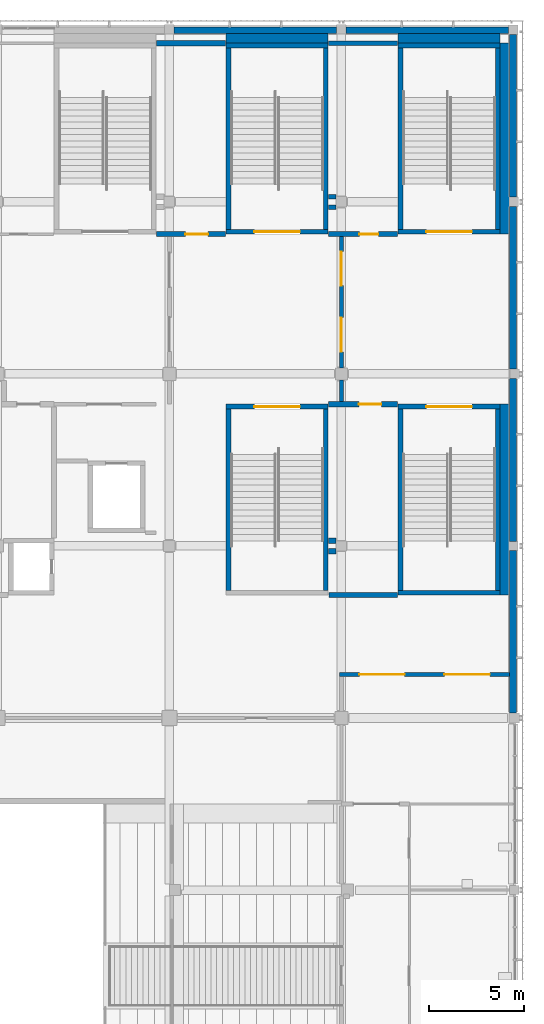
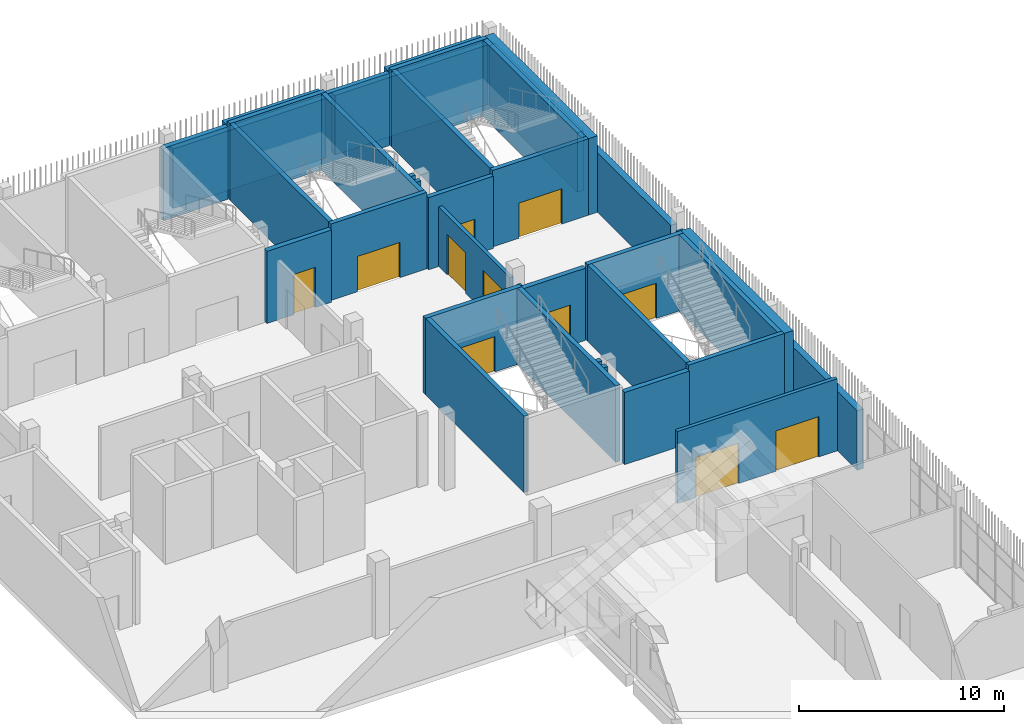
# One storey, part 91 of 139: 38 walls, 11 doors, 11 openings.
"""IFC4 building model written with IfcOpenShell, lengths in metres."""

from ifc_helpers import new_model, si_unit, direction, frame, frame_2d, origin, place, context, subcontext, project, spatial, rectangle, extrude, material, layer, layer_set, type_object, element, fill, save


model = new_model("IFC4")

# Units and contexts
model_context = context("Model", 3, precision=1e-05, world=origin(), true_north=direction((0.0, 1.0)))
body_context = subcontext(model_context, "Body", "Model", "MODEL_VIEW")
ifc_project = project(units=[si_unit("LENGTHUNIT", "METRE"), si_unit("AREAUNIT", "SQUARE_METRE"), si_unit("VOLUMEUNIT", "CUBIC_METRE"), si_unit("PLANEANGLEUNIT", "RADIAN"), si_unit("MASSUNIT", "GRAM", prefix="KILO")], contexts=[model_context])

# Site, building, storey
site_placement = place(None, origin())
site = spatial("IfcSite", under=ifc_project, at=site_placement, CompositionType="ELEMENT")
building_placement = place(site_placement, origin())
building = spatial("IfcBuilding", under=site, at=building_placement, Name="Shirokan Park Arena", CompositionType="ELEMENT")
storey_placement = place(building_placement, frame((0.0, 0.0, 15.469970703125)))
storey = spatial("IfcBuildingStorey", under=building, at=storey_placement, Name="L03", CompositionType="ELEMENT", Elevation=15.469970703125)

# Wall, opening, door
ifc_material_1 = material(Name="Plaster")
ifc_layer_1 = layer(ifc_material_1, 0.014892578125, Name="Plaster")
ifc_material_2 = material(Name="Concrete blockwork", Category="masonry")
ifc_layer_2 = layer(ifc_material_2, 0.219970703125, Name="Concrete blockwork 220")
ifc_layer_3 = layer(ifc_material_1, 0.014892578125, Name="Plaster")
ifc_layer_set_1 = layer_set([ifc_layer_1, ifc_layer_2, ifc_layer_3], Name="Plaster + Concrete blockwork 220")
wall_type_1 = type_object("IfcWallType", Name="Compartment wall 250", PredefinedType="SOLIDWALL", material=ifc_layer_set_1)
wall_1_placement = place(storey_placement, frame((135.830078125, 98.39990234375, 0.0), z_axis=(0.0, 0.0, 1.0), x_axis=(1.0, 0.0, 0.0)))
wall_1 = element("IfcWall", 1, at=wall_1_placement, inside=storey, type_object=wall_type_1, Name="Compartment wall 250 L03", PredefinedType="SOLIDWALL", context=body_context, shape_type="SweptSolid", body=[
    extrude(rectangle(XDim=3.639892578125, YDim=0.25, at=frame_2d((1.81982421875, 0.0))), origin(), (0.0, 0.0, 1.0), 4.300048828125),
])
opening_1_placement = place(wall_1_placement, frame((1.6201171875, 0.0, 0.0)))
opening_1 = element("IfcOpeningElement", 2, at=opening_1_placement, cuts=wall_1, Name="Opening D-3026", PredefinedType="OPENING", context=body_context, shape_type="SweptSolid", body=[
    extrude(rectangle(XDim=1.0, YDim=2.10009765625, at=frame_2d((0.5, 1.050048828125))), frame((0.0, 0.135009765625, 0.0), z_axis=(0.0, -1.0, 0.0), x_axis=(1.0, 0.0, 0.0)), (0.0, 0.0, 1.0), 0.27001953125),
])
ifc_material_3 = material(Name="Timber door set, fire resisting", Category="wood")
door_type_1 = type_object("IfcDoorType", Name="Door 1000 x 2100", OperationType="SINGLE_SWING_LEFT", PredefinedType="DOOR", material=ifc_material_3)
door_1_placement = place(opening_1_placement, origin())
door_1 = element("IfcDoor", 3, at=door_1_placement, inside=storey, type_object=door_type_1, Name="Door to Suite Store 3.30 D-3026", OperationType="SINGLE_SWING_RIGHT", OverallHeight=2.10009765625, OverallWidth=1.0, PredefinedType="DOOR", context=body_context, shape_type="SweptSolid", body=[
    extrude(rectangle(XDim=1.0, YDim=2.10009765625, at=frame_2d((0.5, 1.050048828125))), frame((0.0, 0.02490234375, 0.0), z_axis=(0.0, -1.0, 0.0), x_axis=(1.0, 0.0, 0.0)), (0.0, 0.0, 1.0), 0.050048828125),
])
fill(opening_1, door_1)

# Walls
wall_2_placement = place(storey_placement, frame((135.830078125, 99.824951171875, 0.0), z_axis=(0.0, 0.0, 1.0), x_axis=(1.0, 0.0, 0.0)))
element("IfcWall", 4, at=wall_2_placement, inside=storey, type_object=wall_type_1, Name="Compartment wall 250 L03", PredefinedType="SOLIDWALL", context=body_context, shape_type="SweptSolid", body=[
    extrude(rectangle(XDim=0.39501953125, YDim=0.25, at=frame_2d((0.197509765625, 0.0))), origin(), (0.0, 0.0, 1.0), 4.300048828125),
])
wall_3_placement = place(storey_placement, frame((135.830078125, 108.5, 0.0), z_axis=(0.0, 0.0, 1.0), x_axis=(1.0, 0.0, 0.0)))
element("IfcWall", 5, at=wall_3_placement, inside=storey, type_object=wall_type_1, Name="Compartment wall 250 L03", PredefinedType="SOLIDWALL", context=body_context, shape_type="SweptSolid", body=[
    extrude(rectangle(XDim=3.639892578125, YDim=0.25, at=frame_2d((1.81982421875, 0.0))), origin(), (0.0, 0.0, 1.0), 4.300048828125),
])
wall_4_placement = place(storey_placement, frame((136.22509765625, 100.375, 0.0), z_axis=(0.0, 0.0, 1.0), x_axis=(-1.0, 0.0, 0.0)))
element("IfcWall", 6, at=wall_4_placement, inside=storey, type_object=wall_type_1, Name="Compartment wall 250 L03", PredefinedType="SOLIDWALL", context=body_context, shape_type="SweptSolid", body=[
    extrude(rectangle(XDim=0.39501953125, YDim=0.25, at=frame_2d((0.197509765625, 0.0))), origin(), (0.0, 0.0, 1.0), 4.300048828125),
])
ifc_material_4 = material(Name="Gypsum board")
ifc_layer_4 = layer(ifc_material_4, 0.02490234375, Name="Gypsum board, two layers")
ifc_material_5 = material(Name="Mineral wool insulation")
ifc_layer_5 = layer(ifc_material_5, 0.14990234375, Name="Mineral wool insulation")
ifc_layer_6 = layer(ifc_material_4, 0.02490234375, Name="Gypsum board, two layers")
ifc_layer_set_2 = layer_set([ifc_layer_4, ifc_layer_5, ifc_layer_6], Name="Gypsum board, two layers + Mineral wool insulation")
wall_type_2 = type_object("IfcWallType", Name="Corridor wall 200", PredefinedType="PARTITIONING", material=ifc_layer_set_2)
wall_5_placement = place(storey_placement, frame((136.5, 89.53759765625, 0.0), z_axis=(0.0, 0.0, 1.0), x_axis=(0.0, 1.0, 0.0)))
element("IfcWall", 7, at=wall_5_placement, inside=storey, type_object=wall_type_2, Name="Corridor wall 200 L03", PredefinedType="PARTITIONING", context=body_context, shape_type="SweptSolid", body=[
    extrude(rectangle(XDim=1.137451171875, YDim=0.199951171875, at=frame_2d((0.56884765625, 0.0))), origin(), (0.0, 0.0, 1.0), 3.550048828125),
])

# Wall, openings, doors
wall_6_placement = place(storey_placement, frame((136.5, 91.324951171875, 0.0), z_axis=(0.0, 0.0, 1.0), x_axis=(0.0, 1.0, 0.0)))
wall_6 = element("IfcWall", 8, at=wall_6_placement, inside=storey, type_object=wall_type_2, Name="Corridor wall 200 L03", PredefinedType="PARTITIONING", context=body_context, shape_type="SweptSolid", body=[
    extrude(rectangle(XDim=6.949951171875, YDim=0.199951171875, at=frame_2d((3.47509765625, 0.0))), origin(), (0.0, 0.0, 1.0), 3.550048828125),
])
opening_2_placement = place(wall_6_placement, frame((0.85009765625, 0.0, 0.0)))
opening_2 = element("IfcOpeningElement", 9, at=opening_2_placement, cuts=wall_6, Name="Opening D-3114", PredefinedType="OPENING", context=body_context, shape_type="SweptSolid", body=[
    extrude(rectangle(XDim=1.800048828125, YDim=2.39990234375, at=frame_2d((0.89990234375, 1.199951171875))), frame((0.0, 0.10986328125, 0.0), z_axis=(0.0, -1.0, 0.0), x_axis=(1.0, 0.0, 0.0)), (0.0, 0.0, 1.0), 0.219970703125),
])
opening_3_placement = place(wall_6_placement, frame((4.35009765625, 0.0, 0.0)))
opening_3 = element("IfcOpeningElement", 10, at=opening_3_placement, cuts=wall_6, Name="Opening D-3115", PredefinedType="OPENING", context=body_context, shape_type="SweptSolid", body=[
    extrude(rectangle(XDim=1.800048828125, YDim=2.39990234375, at=frame_2d((0.89990234375, 1.199951171875))), frame((0.0, 0.10986328125, 0.0), z_axis=(0.0, -1.0, 0.0), x_axis=(1.0, 0.0, 0.0)), (0.0, 0.0, 1.0), 0.219970703125),
])
ifc_material_6 = material(Name="Glazed steel door set, fire resisting", Category="steel")
door_type_2 = type_object("IfcDoorType", Name="Lift lobby door 1800 x 2400", OperationType="DOUBLE_DOOR_SINGLE_SWING", PredefinedType="DOOR", material=ifc_material_6)
door_2_placement = place(opening_2_placement, origin())
door_2 = element("IfcDoor", 11, at=door_2_placement, inside=storey, type_object=door_type_2, Name="Door between Suite Lobby 3.3.1 and Media Lobby 3.3.2 D-3114", OperationType="DOUBLE_DOOR_SINGLE_SWING", OverallHeight=2.39990234375, OverallWidth=1.800048828125, PredefinedType="DOOR", context=body_context, shape_type="SweptSolid", body=[
    extrude(rectangle(XDim=1.800048828125, YDim=2.39990234375, at=frame_2d((0.89990234375, 1.199951171875))), frame((0.0, 0.02490234375, 0.0), z_axis=(0.0, -1.0, 0.0), x_axis=(1.0, 0.0, 0.0)), (0.0, 0.0, 1.0), 0.050048828125),
])
fill(opening_2, door_2)
door_3_placement = place(opening_3_placement, origin())
door_3 = element("IfcDoor", 12, at=door_3_placement, inside=storey, type_object=door_type_2, Name="Door between Suite Lobby 3.3.1 and Media Lobby 3.3.2 D-3115", OperationType="DOUBLE_DOOR_SINGLE_SWING", OverallHeight=2.39990234375, OverallWidth=1.800048828125, PredefinedType="DOOR", context=body_context, shape_type="SweptSolid", body=[
    extrude(rectangle(XDim=1.800048828125, YDim=2.39990234375, at=frame_2d((0.89990234375, 1.199951171875))), frame((0.0, 0.02490234375, 0.0), z_axis=(0.0, -1.0, 0.0), x_axis=(1.0, 0.0, 0.0)), (0.0, 0.0, 1.0), 0.050048828125),
])
fill(opening_3, door_3)

wall_7_placement = place(storey_placement, frame((145.39990234375, 75.10009765625, 0.0), z_axis=(0.0, 0.0, 1.0), x_axis=(-1.0, 0.0, 0.0)))
wall_7 = element("IfcWall", 13, at=wall_7_placement, inside=storey, type_object=wall_type_2, Name="Corridor wall 200 L03", PredefinedType="PARTITIONING", context=body_context, shape_type="SweptSolid", body=[
    extrude(rectangle(XDim=9.0, YDim=0.199951171875, at=frame_2d((4.5, 0.0))), origin(), (0.0, 0.0, 1.0), 4.300048828125),
])
opening_4_placement = place(wall_7_placement, frame((1.050048828125, 0.0, 0.0)))
opening_4 = element("IfcOpeningElement", 14, at=opening_4_placement, cuts=wall_7, Name="Opening D-3112", PredefinedType="OPENING", context=body_context, shape_type="SweptSolid", body=[
    extrude(rectangle(XDim=2.39990234375, YDim=2.39990234375, at=frame_2d((1.199951171875, 1.199951171875))), frame((0.0, 0.10986328125, 0.0), z_axis=(0.0, -1.0, 0.0), x_axis=(1.0, 0.0, 0.0)), (0.0, 0.0, 1.0), 0.219970703125),
])
opening_5_placement = place(wall_7_placement, frame((5.550048828125, 0.0, 0.0)))
opening_5 = element("IfcOpeningElement", 15, at=opening_5_placement, cuts=wall_7, Name="Opening D-3113", PredefinedType="OPENING", context=body_context, shape_type="SweptSolid", body=[
    extrude(rectangle(XDim=2.39990234375, YDim=2.39990234375, at=frame_2d((1.199951171875, 1.199951171875))), frame((0.0, 0.10986328125, 0.0), z_axis=(0.0, -1.0, 0.0), x_axis=(1.0, 0.0, 0.0)), (0.0, 0.0, 1.0), 0.219970703125),
])
ifc_material_7 = material(Name="Steel door set, fire resisting", Category="steel")
door_type_3 = type_object("IfcDoorType", Name="Double door 2400 x 2400", OperationType="DOUBLE_DOOR_SINGLE_SWING", PredefinedType="DOOR", material=ifc_material_7)
door_4_placement = place(opening_4_placement, origin())
door_4 = element("IfcDoor", 16, at=door_4_placement, inside=storey, type_object=door_type_3, Name="Door between Service Corridor 3.3 and Concourse Link 3.3 D-3112", OperationType="DOUBLE_DOOR_SINGLE_SWING", OverallHeight=2.39990234375, OverallWidth=2.39990234375, PredefinedType="DOOR", context=body_context, shape_type="SweptSolid", body=[
    extrude(rectangle(XDim=2.39990234375, YDim=2.39990234375, at=frame_2d((1.199951171875, 1.199951171875))), frame((0.0, 0.02490234375, 0.0), z_axis=(0.0, -1.0, 0.0), x_axis=(1.0, 0.0, 0.0)), (0.0, 0.0, 1.0), 0.050048828125),
])
fill(opening_4, door_4)
door_5_placement = place(opening_5_placement, origin())
door_5 = element("IfcDoor", 17, at=door_5_placement, inside=storey, type_object=door_type_3, Name="Door between Service Corridor 3.3 and Concourse Link 3.3 D-3113", OperationType="DOUBLE_DOOR_SINGLE_SWING", OverallHeight=2.39990234375, OverallWidth=2.39990234375, PredefinedType="DOOR", context=body_context, shape_type="SweptSolid", body=[
    extrude(rectangle(XDim=2.39990234375, YDim=2.39990234375, at=frame_2d((1.199951171875, 1.199951171875))), frame((0.0, 0.02490234375, 0.0), z_axis=(0.0, -1.0, 0.0), x_axis=(1.0, 0.0, 0.0)), (0.0, 0.0, 1.0), 0.050048828125),
])
fill(opening_5, door_5)

# Walls
ifc_material_8 = material(Name="Cedar cladding")
ifc_layer_7 = layer(ifc_material_8, 0.030029296875, Name="Cedar cladding")
ifc_layer_8 = layer(ifc_material_5, 0.10009765625, Name="Mineral wool insulation")
ifc_material_9 = material(Name="Concrete C35", Category="concrete")
ifc_layer_9 = layer(ifc_material_9, 0.199951171875, Name="Concrete C35")
ifc_material_10 = material(Name="Gypsum board lining")
ifc_layer_10 = layer(ifc_material_10, 0.02001953125, Name="Gypsum board lining")
ifc_layer_set_3 = layer_set([ifc_layer_7, ifc_layer_8, ifc_layer_9, ifc_layer_10], Name="Cedar cladding + Mineral wool insulation + Concrete C35 + Gypsum board lining")
wall_type_3 = type_object("IfcWallType", Name="Insulated tower wall 350", PredefinedType="SOLIDWALL", material=ifc_layer_set_3)
wall_8_placement = place(storey_placement, frame((145.574951171875, 73.074951171875, 0.0), z_axis=(0.0, 0.0, 1.0), x_axis=(0.0, 1.0, 0.0)))
element("IfcWall", 18, at=wall_8_placement, inside=storey, type_object=wall_type_3, Name="East facade wall bay 9 L03", PredefinedType="SOLIDWALL", context=body_context, shape_type="SweptSolid", body=[
    extrude(rectangle(XDim=8.574951171875, YDim=0.35009765625, at=frame_2d((4.28759765625, 0.0))), origin(), (0.0, 0.0, 1.0), 3.550048828125),
])
for number, where, z_axis, x_axis, name in (
    (19, (145.574951171875, 82.14990234375, 0.0), (0.0, 0.0, 1.0), (0.0, 1.0, 0.0), "East facade wall bay 10 L03"),
    (20, (145.574951171875, 91.25, 0.0), (0.0, 0.0, 1.0), (0.0, 1.0, 0.0), "East facade wall bay 11 L03"),
):
    element("IfcWall", number, at=place(storey_placement, frame(where, z_axis=z_axis, x_axis=x_axis)), inside=storey, type_object=wall_type_3, Name=name, PredefinedType="SOLIDWALL", context=body_context, shape_type="SweptSolid", body=[
        extrude(rectangle(XDim=8.60009765625, YDim=0.35009765625, at=frame_2d((4.300048828125, 0.0))), origin(), (0.0, 0.0, 1.0), 3.550048828125),
    ])
wall_9_placement = place(storey_placement, frame((145.574951171875, 100.35009765625, 0.0), z_axis=(0.0, 0.0, 1.0), x_axis=(0.0, 1.0, 0.0)))
element("IfcWall", 21, at=wall_9_placement, inside=storey, type_object=wall_type_3, Name="East facade wall bay 12 L03", PredefinedType="SOLIDWALL", context=body_context, shape_type="SweptSolid", body=[
    extrude(rectangle(XDim=8.599853515625, YDim=0.35009765625, at=frame_2d((4.2998046875, 0.0))), origin(), (0.0, 0.0, 1.0), 3.550048828125),
])
for number, where, z_axis, x_axis, name in (
    (22, (145.35009765625, 109.175048828125, 0.0), (0.0, 0.0, 1.0), (-1.0, 0.0, 0.0), "North facade wall bay 1 L03"),
    (23, (136.25, 109.175048828125, 0.0), (0.0, 0.0, 1.0), (-1.0, 0.0, 0.0), "North facade wall bay 2 L03"),
):
    element("IfcWall", number, at=place(storey_placement, frame(where, z_axis=z_axis, x_axis=x_axis)), inside=storey, type_object=wall_type_3, Name=name, PredefinedType="SOLIDWALL", context=body_context, shape_type="SweptSolid", body=[
        extrude(rectangle(XDim=8.60009765625, YDim=0.35009765625, at=frame_2d((4.300048828125, 0.0))), origin(), (0.0, 0.0, 1.0), 3.550048828125),
    ])

# Wall, opening, door
ifc_layer_11 = layer(ifc_material_1, 0.012451171875, Name="Plaster")
ifc_layer_12 = layer(ifc_material_2, 0.25, Name="Concrete blockwork 250")
ifc_layer_13 = layer(ifc_material_1, 0.012451171875, Name="Plaster")
ifc_layer_set_4 = layer_set([ifc_layer_11, ifc_layer_12, ifc_layer_13], Name="Plaster + Concrete blockwork 250")
wall_type_4 = type_object("IfcWallType", Name="Plant room wall 275", PredefinedType="SOLIDWALL", material=ifc_layer_set_4)
wall_10_placement = place(storey_placement, frame((126.72998046875, 98.39990234375, 0.0), z_axis=(0.0, 0.0, 1.0), x_axis=(1.0, 0.0, 0.0)))
wall_10 = element("IfcWall", 24, at=wall_10_placement, inside=storey, type_object=wall_type_4, Name="Plant room wall 275 L03", PredefinedType="SOLIDWALL", context=body_context, shape_type="SweptSolid", body=[
    extrude(rectangle(XDim=3.64013671875, YDim=0.27490234375, at=frame_2d((1.820068359375, 0.0))), origin(), (0.0, 0.0, 1.0), 4.300048828125),
])
opening_6_placement = place(wall_10_placement, frame((1.52001953125, 0.0, 0.0)))
opening_6 = element("IfcOpeningElement", 25, at=opening_6_placement, cuts=wall_10, Name="Opening D-3027", PredefinedType="OPENING", context=body_context, shape_type="SweptSolid", body=[
    extrude(rectangle(XDim=1.199951171875, YDim=2.39990234375, at=frame_2d((0.60009765625, 1.199951171875))), frame((0.0, 0.1474609375, 0.0), z_axis=(0.0, -1.0, 0.0), x_axis=(1.0, 0.0, 0.0)), (0.0, 0.0, 1.0), 0.294921875),
])
ifc_material_11 = material(Name="Louvred steel door set, fire resisting", Category="steel")
door_type_4 = type_object("IfcDoorType", Name="Plant room door 1200 x 2400", OperationType="SINGLE_SWING_LEFT", PredefinedType="DOOR", material=ifc_material_11)
door_6_placement = place(opening_6_placement, origin())
door_6 = element("IfcDoor", 26, at=door_6_placement, inside=storey, type_object=door_type_4, Name="Door to Electrical Room 3.31 D-3027", OperationType="SINGLE_SWING_RIGHT", OverallHeight=2.39990234375, OverallWidth=1.199951171875, PredefinedType="DOOR", context=body_context, shape_type="SweptSolid", body=[
    extrude(rectangle(XDim=1.199951171875, YDim=2.39990234375, at=frame_2d((0.60009765625, 1.199951171875))), frame((0.0, 0.02490234375, 0.0), z_axis=(0.0, -1.0, 0.0), x_axis=(1.0, 0.0, 0.0)), (0.0, 0.0, 1.0), 0.050048828125),
])
fill(opening_6, door_6)

# Walls
wall_11_placement = place(storey_placement, frame((126.72998046875, 108.5, 0.0), z_axis=(0.0, 0.0, 1.0), x_axis=(1.0, 0.0, 0.0)))
element("IfcWall", 27, at=wall_11_placement, inside=storey, type_object=wall_type_4, Name="Plant room wall 275 L03", PredefinedType="SOLIDWALL", context=body_context, shape_type="SweptSolid", body=[
    extrude(rectangle(XDim=3.64013671875, YDim=0.27490234375, at=frame_2d((1.820068359375, 0.0))), origin(), (0.0, 0.0, 1.0), 4.300048828125),
])
for number, where, z_axis, x_axis, name in (
    (28, (135.830078125, 81.625, 0.0), (0.0, 0.0, 1.0), (1.0, 0.0, 0.0), "Plant room wall 275 L03"),
    (29, (136.22509765625, 82.175048828125, 0.0), (0.0, 0.0, 1.0), (-1.0, 0.0, 0.0), "Plant room wall 275 L03"),
):
    element("IfcWall", number, at=place(storey_placement, frame(where, z_axis=z_axis, x_axis=x_axis)), inside=storey, type_object=wall_type_4, Name=name, PredefinedType="SOLIDWALL", context=body_context, shape_type="SweptSolid", body=[
        extrude(rectangle(XDim=0.39501953125, YDim=0.27490234375, at=frame_2d((0.197509765625, 0.0))), origin(), (0.0, 0.0, 1.0), 4.300048828125),
    ])

# Wall, opening, door
wall_12_placement = place(storey_placement, frame((135.830078125, 89.39990234375, 0.0), z_axis=(0.0, 0.0, 1.0), x_axis=(1.0, 0.0, 0.0)))
wall_12 = element("IfcWall", 30, at=wall_12_placement, inside=storey, type_object=wall_type_4, Name="Plant room wall 275 L03", PredefinedType="SOLIDWALL", context=body_context, shape_type="SweptSolid", body=[
    extrude(rectangle(XDim=3.639892578125, YDim=0.27490234375, at=frame_2d((1.81982421875, 0.0))), origin(), (0.0, 0.0, 1.0), 4.300048828125),
])
opening_7_placement = place(wall_12_placement, frame((1.590087890625, 0.0, 0.0)))
opening_7 = element("IfcOpeningElement", 31, at=opening_7_placement, cuts=wall_12, Name="Opening D-3023", PredefinedType="OPENING", context=body_context, shape_type="SweptSolid", body=[
    extrude(rectangle(XDim=1.199951171875, YDim=2.39990234375, at=frame_2d((0.60009765625, 1.199951171875))), frame((0.0, 0.1474609375, 0.0), z_axis=(0.0, -1.0, 0.0), x_axis=(1.0, 0.0, 0.0)), (0.0, 0.0, 1.0), 0.294921875),
])
door_7_placement = place(opening_7_placement, origin())
door_7 = element("IfcDoor", 32, at=door_7_placement, inside=storey, type_object=door_type_4, Name="Door to Electrical Room 3.37 D-3023", OperationType="SINGLE_SWING_RIGHT", OverallHeight=2.39990234375, OverallWidth=1.199951171875, PredefinedType="DOOR", context=body_context, shape_type="SweptSolid", body=[
    extrude(rectangle(XDim=1.199951171875, YDim=2.39990234375, at=frame_2d((0.60009765625, 1.199951171875))), frame((0.0, 0.02490234375, 0.0), z_axis=(0.0, -1.0, 0.0), x_axis=(1.0, 0.0, 0.0)), (0.0, 0.0, 1.0), 0.050048828125),
])
fill(opening_7, door_7)

# Wall
wall_13_placement = place(storey_placement, frame((139.469970703125, 79.300048828125, 0.0), z_axis=(0.0, 0.0, 1.0), x_axis=(-1.0, 0.0, 0.0)))
element("IfcWall", 33, at=wall_13_placement, inside=storey, type_object=wall_type_4, Name="Plant room wall 275 L03", PredefinedType="SOLIDWALL", context=body_context, shape_type="SweptSolid", body=[
    extrude(rectangle(XDim=3.639892578125, YDim=0.27490234375, at=frame_2d((1.81982421875, 0.0))), origin(), (0.0, 0.0, 1.0), 4.300048828125),
])

# Wall, opening, door
ifc_material_12 = material(Name="Concrete C40/50", Category="concrete")
ifc_layer_14 = layer(ifc_material_12, 0.25)
ifc_layer_set_5 = layer_set([ifc_layer_14], Name="Concrete C40/50 250 mm")
wall_type_5 = type_object("IfcWallType", Name="RC shear wall 250", PredefinedType="SHEAR", material=ifc_layer_set_5)
wall_14_placement = place(storey_placement, frame((144.89990234375, 98.52490234375, 0.0), z_axis=(0.0, 0.0, 1.0), x_axis=(-1.0, 0.0, 0.0)))
wall_14 = element("IfcWall", 34, at=wall_14_placement, inside=storey, type_object=wall_type_5, Name="Shaft wall Exit Stair 3.A S L03", PredefinedType="SHEAR", context=body_context, shape_type="SweptSolid", body=[
    extrude(rectangle(XDim=5.39990234375, YDim=0.25, at=frame_2d((2.699951171875, 0.0))), origin(), (0.0, 0.0, 1.0), 4.550048828125),
])
opening_8_placement = place(wall_14_placement, frame((1.5, 0.0, 0.0)))
opening_8 = element("IfcOpeningElement", 35, at=opening_8_placement, cuts=wall_14, Name="Opening D-3161", PredefinedType="OPENING", context=body_context, shape_type="SweptSolid", body=[
    extrude(rectangle(XDim=2.39990234375, YDim=2.10009765625, at=frame_2d((1.199951171875, 1.050048828125))), frame((0.0, 0.135009765625, 0.0), z_axis=(0.0, -1.0, 0.0), x_axis=(1.0, 0.0, 0.0)), (0.0, 0.0, 1.0), 0.27001953125),
])
door_type_5 = type_object("IfcDoorType", Name="Stair door 2400 x 2100", OperationType="DOUBLE_DOOR_SINGLE_SWING", PredefinedType="DOOR", material=ifc_material_7)
door_8_placement = place(opening_8_placement, origin())
door_8 = element("IfcDoor", 36, at=door_8_placement, inside=storey, type_object=door_type_5, Name="Stair door Exit Stair 3.A D-3161", OperationType="DOUBLE_DOOR_SINGLE_SWING", OverallHeight=2.10009765625, OverallWidth=2.39990234375, PredefinedType="DOOR", context=body_context, shape_type="SweptSolid", body=[
    extrude(rectangle(XDim=2.39990234375, YDim=2.10009765625, at=frame_2d((1.199951171875, 1.050048828125))), frame((0.0, 0.02490234375, 0.0), z_axis=(0.0, -1.0, 0.0), x_axis=(1.0, 0.0, 0.0)), (0.0, 0.0, 1.0), 0.050048828125),
])
fill(opening_8, door_8)

# Walls
wall_15_placement = place(storey_placement, frame((144.89990234375, 108.375, 0.0), z_axis=(0.0, 0.0, 1.0), x_axis=(-1.0, 0.0, 0.0)))
element("IfcWall", 37, at=wall_15_placement, inside=storey, type_object=wall_type_5, Name="Shaft wall Exit Stair 3.A N L03", PredefinedType="SHEAR", context=body_context, shape_type="SweptSolid", body=[
    extrude(rectangle(XDim=5.39990234375, YDim=0.25, at=frame_2d((2.699951171875, 0.0))), origin(), (0.0, 0.0, 1.0), 4.550048828125),
])
for number, where, z_axis, x_axis, name in (
    (38, (139.625, 108.25, 0.0), (0.0, 0.0, 1.0), (0.0, -1.0, 0.0), "Shaft wall Exit Stair 3.A W L03"),
    (39, (144.77490234375, 108.25, 0.0), (0.0, 0.0, 1.0), (0.0, -1.0, 0.0), "Shaft wall Exit Stair 3.A E L03"),
):
    element("IfcWall", number, at=place(storey_placement, frame(where, z_axis=z_axis, x_axis=x_axis)), inside=storey, type_object=wall_type_5, Name=name, PredefinedType="SHEAR", context=body_context, shape_type="SweptSolid", body=[
        extrude(rectangle(XDim=9.60009765625, YDim=0.25, at=frame_2d((4.800048828125, 0.0))), origin(), (0.0, 0.0, 1.0), 4.550048828125),
    ])

# Wall, opening, door
wall_16_placement = place(storey_placement, frame((135.800048828125, 98.52490234375, 0.0), z_axis=(0.0, 0.0, 1.0), x_axis=(-1.0, 0.0, 0.0)))
wall_16 = element("IfcWall", 40, at=wall_16_placement, inside=storey, type_object=wall_type_5, Name="Shaft wall Exit Stair 3.B S L03", PredefinedType="SHEAR", context=body_context, shape_type="SweptSolid", body=[
    extrude(rectangle(XDim=5.400146484375, YDim=0.25, at=frame_2d((2.7001953125, 0.0))), origin(), (0.0, 0.0, 1.0), 4.550048828125),
])
opening_9_placement = place(wall_16_placement, frame((1.5, 0.0, 0.0)))
opening_9 = element("IfcOpeningElement", 41, at=opening_9_placement, cuts=wall_16, Name="Opening D-3162", PredefinedType="OPENING", context=body_context, shape_type="SweptSolid", body=[
    extrude(rectangle(XDim=2.39990234375, YDim=2.10009765625, at=frame_2d((1.199951171875, 1.050048828125))), frame((0.0, 0.135009765625, 0.0), z_axis=(0.0, -1.0, 0.0), x_axis=(1.0, 0.0, 0.0)), (0.0, 0.0, 1.0), 0.27001953125),
])
door_9_placement = place(opening_9_placement, origin())
door_9 = element("IfcDoor", 42, at=door_9_placement, inside=storey, type_object=door_type_5, Name="Stair door Exit Stair 3.B D-3162", OperationType="DOUBLE_DOOR_SINGLE_SWING", OverallHeight=2.10009765625, OverallWidth=2.39990234375, PredefinedType="DOOR", context=body_context, shape_type="SweptSolid", body=[
    extrude(rectangle(XDim=2.39990234375, YDim=2.10009765625, at=frame_2d((1.199951171875, 1.050048828125))), frame((0.0, 0.02490234375, 0.0), z_axis=(0.0, -1.0, 0.0), x_axis=(1.0, 0.0, 0.0)), (0.0, 0.0, 1.0), 0.050048828125),
])
fill(opening_9, door_9)

# Walls
wall_17_placement = place(storey_placement, frame((135.800048828125, 108.375, 0.0), z_axis=(0.0, 0.0, 1.0), x_axis=(-1.0, 0.0, 0.0)))
element("IfcWall", 43, at=wall_17_placement, inside=storey, type_object=wall_type_5, Name="Shaft wall Exit Stair 3.B N L03", PredefinedType="SHEAR", context=body_context, shape_type="SweptSolid", body=[
    extrude(rectangle(XDim=5.400146484375, YDim=0.25, at=frame_2d((2.7001953125, 0.0))), origin(), (0.0, 0.0, 1.0), 4.550048828125),
])
for number, where, z_axis, x_axis, name in (
    (44, (130.52490234375, 108.25, 0.0), (0.0, 0.0, 1.0), (0.0, -1.0, 0.0), "Shaft wall Exit Stair 3.B W L03"),
    (45, (135.675048828125, 108.25, 0.0), (0.0, 0.0, 1.0), (0.0, -1.0, 0.0), "Shaft wall Exit Stair 3.B E L03"),
):
    element("IfcWall", number, at=place(storey_placement, frame(where, z_axis=z_axis, x_axis=x_axis)), inside=storey, type_object=wall_type_5, Name=name, PredefinedType="SHEAR", context=body_context, shape_type="SweptSolid", body=[
        extrude(rectangle(XDim=9.60009765625, YDim=0.25, at=frame_2d((4.800048828125, 0.0))), origin(), (0.0, 0.0, 1.0), 4.550048828125),
    ])
wall_18_placement = place(storey_placement, frame((144.89990234375, 79.425048828125, 0.0), z_axis=(0.0, 0.0, 1.0), x_axis=(-1.0, 0.0, 0.0)))
element("IfcWall", 46, at=wall_18_placement, inside=storey, type_object=wall_type_5, Name="Shaft wall Exit Stair 3.E S L03", PredefinedType="SHEAR", context=body_context, shape_type="SweptSolid", body=[
    extrude(rectangle(XDim=5.39990234375, YDim=0.25, at=frame_2d((2.699951171875, 0.0))), origin(), (0.0, 0.0, 1.0), 4.550048828125),
])

# Wall, opening, door
wall_19_placement = place(storey_placement, frame((144.89990234375, 89.27490234375, 0.0), z_axis=(0.0, 0.0, 1.0), x_axis=(-1.0, 0.0, 0.0)))
wall_19 = element("IfcWall", 47, at=wall_19_placement, inside=storey, type_object=wall_type_5, Name="Shaft wall Exit Stair 3.E N L03", PredefinedType="SHEAR", context=body_context, shape_type="SweptSolid", body=[
    extrude(rectangle(XDim=5.39990234375, YDim=0.25, at=frame_2d((2.699951171875, 0.0))), origin(), (0.0, 0.0, 1.0), 4.550048828125),
])
opening_10_placement = place(wall_19_placement, frame((1.5, 0.0, 0.0)))
opening_10 = element("IfcOpeningElement", 48, at=opening_10_placement, cuts=wall_19, Name="Opening D-3165", PredefinedType="OPENING", context=body_context, shape_type="SweptSolid", body=[
    extrude(rectangle(XDim=2.39990234375, YDim=2.10009765625, at=frame_2d((1.199951171875, 1.050048828125))), frame((0.0, 0.135009765625, 0.0), z_axis=(0.0, -1.0, 0.0), x_axis=(1.0, 0.0, 0.0)), (0.0, 0.0, 1.0), 0.27001953125),
])
door_10_placement = place(opening_10_placement, origin())
door_10 = element("IfcDoor", 49, at=door_10_placement, inside=storey, type_object=door_type_5, Name="Stair door Exit Stair 3.E D-3165", OperationType="DOUBLE_DOOR_SINGLE_SWING", OverallHeight=2.10009765625, OverallWidth=2.39990234375, PredefinedType="DOOR", context=body_context, shape_type="SweptSolid", body=[
    extrude(rectangle(XDim=2.39990234375, YDim=2.10009765625, at=frame_2d((1.199951171875, 1.050048828125))), frame((0.0, 0.02490234375, 0.0), z_axis=(0.0, -1.0, 0.0), x_axis=(1.0, 0.0, 0.0)), (0.0, 0.0, 1.0), 0.050048828125),
])
fill(opening_10, door_10)

# Walls
for number, where, z_axis, x_axis, name in (
    (50, (139.625, 89.14990234375, 0.0), (0.0, 0.0, 1.0), (0.0, -1.0, 0.0), "Shaft wall Exit Stair 3.E W L03"),
    (51, (144.77490234375, 89.14990234375, 0.0), (0.0, 0.0, 1.0), (0.0, -1.0, 0.0), "Shaft wall Exit Stair 3.E E L03"),
):
    element("IfcWall", number, at=place(storey_placement, frame(where, z_axis=z_axis, x_axis=x_axis)), inside=storey, type_object=wall_type_5, Name=name, PredefinedType="SHEAR", context=body_context, shape_type="SweptSolid", body=[
        extrude(rectangle(XDim=9.599853515625, YDim=0.25, at=frame_2d((4.7998046875, 0.0))), origin(), (0.0, 0.0, 1.0), 4.550048828125),
    ])

# Wall, opening, door
wall_20_placement = place(storey_placement, frame((135.800048828125, 89.27490234375, 0.0), z_axis=(0.0, 0.0, 1.0), x_axis=(-1.0, 0.0, 0.0)))
wall_20 = element("IfcWall", 52, at=wall_20_placement, inside=storey, type_object=wall_type_5, Name="Shaft wall Exit Stair 3.F N L03", PredefinedType="SHEAR", context=body_context, shape_type="SweptSolid", body=[
    extrude(rectangle(XDim=5.400146484375, YDim=0.25, at=frame_2d((2.7001953125, 0.0))), origin(), (0.0, 0.0, 1.0), 4.550048828125),
])
opening_11_placement = place(wall_20_placement, frame((1.5, 0.0, 0.0)))
opening_11 = element("IfcOpeningElement", 53, at=opening_11_placement, cuts=wall_20, Name="Opening D-3166", PredefinedType="OPENING", context=body_context, shape_type="SweptSolid", body=[
    extrude(rectangle(XDim=2.39990234375, YDim=2.10009765625, at=frame_2d((1.199951171875, 1.050048828125))), frame((0.0, 0.135009765625, 0.0), z_axis=(0.0, -1.0, 0.0), x_axis=(1.0, 0.0, 0.0)), (0.0, 0.0, 1.0), 0.27001953125),
])
door_11_placement = place(opening_11_placement, origin())
door_11 = element("IfcDoor", 54, at=door_11_placement, inside=storey, type_object=door_type_5, Name="Stair door Exit Stair 3.F D-3166", OperationType="DOUBLE_DOOR_SINGLE_SWING", OverallHeight=2.10009765625, OverallWidth=2.39990234375, PredefinedType="DOOR", context=body_context, shape_type="SweptSolid", body=[
    extrude(rectangle(XDim=2.39990234375, YDim=2.10009765625, at=frame_2d((1.199951171875, 1.050048828125))), frame((0.0, 0.02490234375, 0.0), z_axis=(0.0, -1.0, 0.0), x_axis=(1.0, 0.0, 0.0)), (0.0, 0.0, 1.0), 0.050048828125),
])
fill(opening_11, door_11)

# Walls
for number, where, z_axis, x_axis, name in (
    (55, (130.52490234375, 89.14990234375, 0.0), (0.0, 0.0, 1.0), (0.0, -1.0, 0.0), "Shaft wall Exit Stair 3.F W L03"),
    (56, (135.675048828125, 89.14990234375, 0.0), (0.0, 0.0, 1.0), (0.0, -1.0, 0.0), "Shaft wall Exit Stair 3.F E L03"),
):
    element("IfcWall", number, at=place(storey_placement, frame(where, z_axis=z_axis, x_axis=x_axis)), inside=storey, type_object=wall_type_5, Name=name, PredefinedType="SHEAR", context=body_context, shape_type="SweptSolid", body=[
        extrude(rectangle(XDim=9.599853515625, YDim=0.25, at=frame_2d((4.7998046875, 0.0))), origin(), (0.0, 0.0, 1.0), 4.550048828125),
    ])
ifc_layer_15 = layer(ifc_material_9, 0.5)
ifc_layer_set_6 = layer_set([ifc_layer_15], Name="Concrete C35 500 mm")
wall_type_6 = type_object("IfcWallType", Name="Shaft infill wall 500", PredefinedType="SOLIDWALL", material=ifc_layer_set_6)
wall_21_placement = place(storey_placement, frame((139.5, 108.75, 0.0), z_axis=(0.0, 0.0, 1.0), x_axis=(1.0, 0.0, 0.0)))
element("IfcWall", 57, at=wall_21_placement, inside=storey, type_object=wall_type_6, Name="Shaft infill wall L03", PredefinedType="SOLIDWALL", context=body_context, shape_type="SweptSolid", body=[
    extrude(rectangle(XDim=5.39990234375, YDim=0.5, at=frame_2d((2.699951171875, 0.0))), origin(), (0.0, 0.0, 1.0), 4.300048828125),
])
wall_22_placement = place(storey_placement, frame((145.14990234375, 98.39990234375, 0.0), z_axis=(0.0, 0.0, 1.0), x_axis=(0.0, 1.0, 0.0)))
element("IfcWall", 58, at=wall_22_placement, inside=storey, type_object=wall_type_6, Name="Shaft infill wall L03", PredefinedType="SOLIDWALL", context=body_context, shape_type="SweptSolid", body=[
    extrude(rectangle(XDim=10.10009765625, YDim=0.5, at=frame_2d((5.050048828125, 0.0))), origin(), (0.0, 0.0, 1.0), 4.550048828125),
])
wall_23_placement = place(storey_placement, frame((130.39990234375, 108.75, 0.0), z_axis=(0.0, 0.0, 1.0), x_axis=(1.0, 0.0, 0.0)))
element("IfcWall", 59, at=wall_23_placement, inside=storey, type_object=wall_type_6, Name="Shaft infill wall L03", PredefinedType="SOLIDWALL", context=body_context, shape_type="SweptSolid", body=[
    extrude(rectangle(XDim=5.400146484375, YDim=0.5, at=frame_2d((2.7001953125, 0.0))), origin(), (0.0, 0.0, 1.0), 4.300048828125),
])
wall_24_placement = place(storey_placement, frame((145.14990234375, 79.300048828125, 0.0), z_axis=(0.0, 0.0, 1.0), x_axis=(0.0, 1.0, 0.0)))
element("IfcWall", 60, at=wall_24_placement, inside=storey, type_object=wall_type_6, Name="Shaft infill wall L03", PredefinedType="SOLIDWALL", context=body_context, shape_type="SweptSolid", body=[
    extrude(rectangle(XDim=10.099853515625, YDim=0.5, at=frame_2d((5.0498046875, 0.0))), origin(), (0.0, 0.0, 1.0), 4.550048828125),
])

save(model, "model.ifc")
